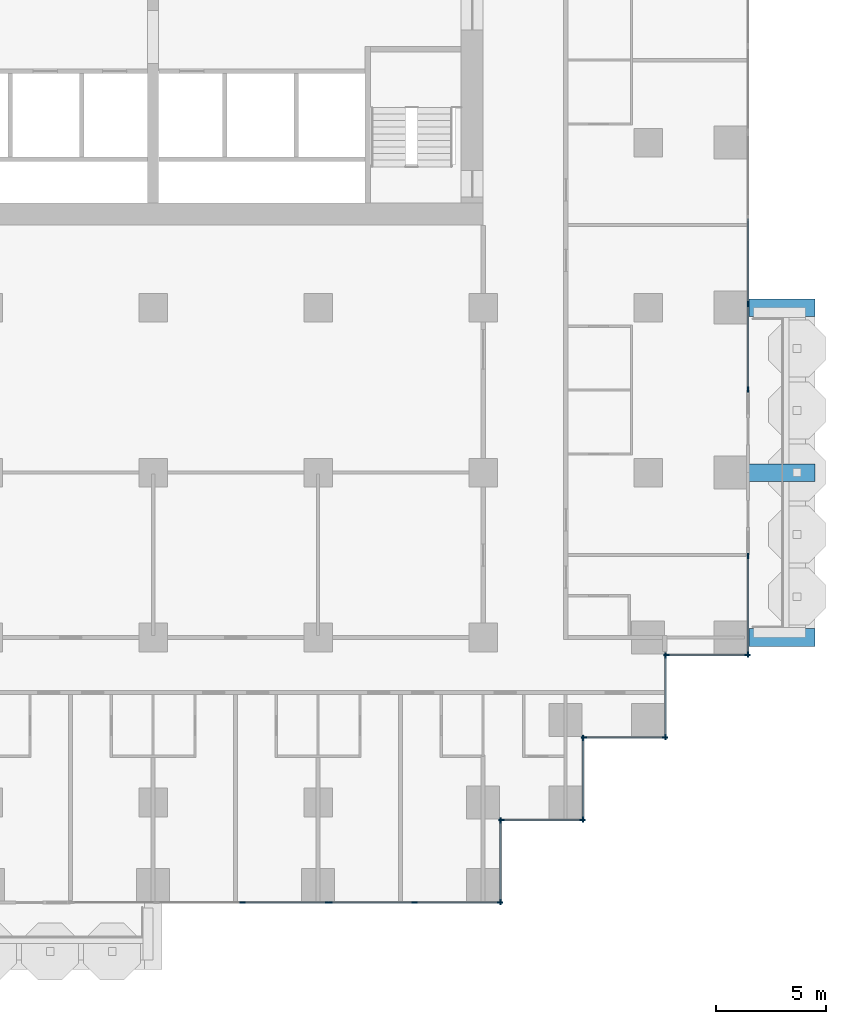
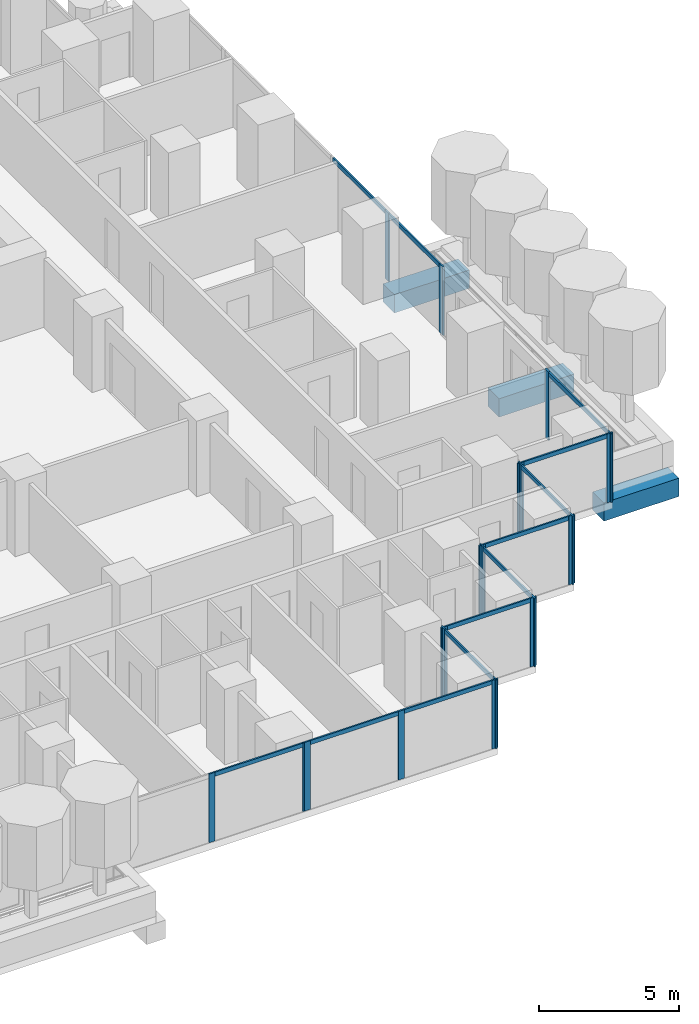
# One storey, part 4 of 19: 33 members, 3 beams, 10 elements without a shape of their own.
"""IFC4 building model written with IfcOpenShell, lengths in metres."""

import ifcopenshell
import ifcopenshell.guid

model = None  # the IFC model being written
_history = None  # IfcOwnerHistory: only IFC2X3 demands one
_inside = {}  # id of a spatial element -> (the spatial element, [elements in it])
_under = {}  # id of a project, library or spatial element -> (it, [spatial elements below it])
_declared = {}  # id of a project -> (the project, [libraries it declares])
_typed = {}  # id of a type object -> (the type object, [elements of that type])
_made_of = {}  # id of a material, layer set ... -> (it, [elements and type objects made of it])


def new_model(schema):
    """Start an empty IFC model of exactly this schema.

    Asked for "IFC4X3", IfcOpenShell would pick the latest addendum, in which some entities
    have other attributes; the version numbers below select the first issue.
    IFC2X3 requires an IfcOwnerHistory on every rooted entity: one is made here for all.
    """
    global model, _history
    if schema == "IFC4X3":
        model = ifcopenshell.file(schema_version=(4, 3, 0, 0))
    else:
        model = ifcopenshell.file(schema=schema)
    _inside.clear()
    _under.clear()
    _declared.clear()
    _typed.clear()
    _made_of.clear()
    _history = None
    if model.schema == "IFC2X3":
        org = make("IfcOrganization", Name="unknown")
        user = make(
            "IfcPersonAndOrganization",
            ThePerson=make("IfcPerson", FamilyName="unknown"),
            TheOrganization=org,
        )
        app = make(
            "IfcApplication",
            ApplicationDeveloper=org,
            Version="unknown",
            ApplicationFullName="unknown",
            ApplicationIdentifier="unknown",
        )
        _history = make(
            "IfcOwnerHistory",
            OwningUser=user,
            OwningApplication=app,
            ChangeAction="ADDED",
            CreationDate=0,
        )
    return model


def make(cls, **values):
    """One entity of the class cls with the attributes given. An attribute that is None is left unset."""
    return model.create_entity(
        cls, **{name: value for name, value in values.items() if value is not None}
    )


def rooted(cls, **values):
    """An entity with a GlobalId (a new one), such as an element, a storey or a relation."""
    return make(cls, GlobalId=ifcopenshell.guid.new(), OwnerHistory=_history, **values)


def si_unit(unit_type, name, prefix=None):
    """IfcSIUnit, for example si_unit("LENGTHUNIT", "METRE", prefix="MILLI")."""
    return make("IfcSIUnit", UnitType=unit_type, Prefix=prefix, Name=name)


def assignment(units):
    """IfcUnitAssignment: the units of a project."""
    return None if units is None else make("IfcUnitAssignment", Units=units)


def point(xyz):
    """IfcCartesianPoint."""
    return None if xyz is None else make("IfcCartesianPoint", Coordinates=xyz)


def direction(xyz):
    """IfcDirection."""
    return None if xyz is None else make("IfcDirection", DirectionRatios=xyz)


def frame(location, z_axis=None, x_axis=None):
    """IfcAxis2Placement3D, a coordinate frame: its origin and axes. An axis left out is left unset."""
    return make(
        "IfcAxis2Placement3D",
        Location=point(location),
        Axis=direction(z_axis),
        RefDirection=direction(x_axis),
    )


def frame_2d(location, x_axis=None):
    """IfcAxis2Placement2D, a coordinate frame in the plane: its origin and x axis."""
    return make(
        "IfcAxis2Placement2D", Location=point(location), RefDirection=direction(x_axis)
    )


def origin():
    """The frame at (0, 0, 0) with its axes left unset."""
    return frame((0.0, 0.0, 0.0))


def origin_2d():
    """The frame at (0, 0) in the plane with its x axis left unset."""
    return frame_2d((0.0, 0.0))


def place(relative_to, where):
    """IfcLocalPlacement: puts the frame where relative to a parent placement (None: the world)."""
    return make(
        "IfcLocalPlacement", PlacementRelTo=relative_to, RelativePlacement=where
    )


def context(
    kind, dimensions, precision=None, world=None, true_north=None, identifier=None
):
    """IfcGeometricRepresentationContext, for example the 3D "Model" context."""
    return make(
        "IfcGeometricRepresentationContext",
        ContextIdentifier=identifier,
        ContextType=kind,
        CoordinateSpaceDimension=dimensions,
        Precision=precision,
        WorldCoordinateSystem=world,
        TrueNorth=true_north,
    )


def subcontext(parent, identifier, kind, view, scale=None):
    """IfcGeometricRepresentationSubContext, for example "Body" below "Model"."""
    return make(
        "IfcGeometricRepresentationSubContext",
        ContextIdentifier=identifier,
        ContextType=kind,
        ParentContext=parent,
        TargetScale=scale,
        TargetView=view,
    )


def project(units=None, contexts=None):
    """IfcProject with its units and contexts."""
    return rooted(
        "IfcProject",
        Name="project",
        RepresentationContexts=contexts,
        UnitsInContext=assignment(units),
    )


def spatial(cls, under=None, at=None, **own):
    """A site, building, storey or space (cls), placed at a placement, below another one or the project."""
    s = rooted(cls, ObjectPlacement=at, **own)
    if under is not None:
        _under.setdefault(under.id(), (under, []))[1].append(s)
    return s


def profile(cls, at=None, kind="AREA", **sizes):
    """A parametric profile (cls). Its sizes go by their IFC names, for example OverallWidth=200.0."""
    return make(cls, ProfileType=kind, Position=at, **sizes)


def rectangle(**sizes):
    """IfcRectangleProfileDef."""
    return profile("IfcRectangleProfileDef", **sizes)


def extrude(swept, where, along, depth):
    """IfcExtrudedAreaSolid: the profile swept, set in the frame where, extruded along a direction by depth."""
    return make(
        "IfcExtrudedAreaSolid",
        SweptArea=swept,
        Position=where,
        ExtrudedDirection=direction(along),
        Depth=depth,
    )


def shape(context_of_items, identifier, shape_type, items):
    """IfcShapeRepresentation: the items that make up one representation, for example the "Body"."""
    return make(
        "IfcShapeRepresentation",
        ContextOfItems=context_of_items,
        RepresentationIdentifier=identifier,
        RepresentationType=shape_type,
        Items=items,
    )


def material(Name=None, Category=None):
    """IfcMaterial."""
    return make("IfcMaterial", Name=Name, Category=Category)


def material_profile(
    of_material, cross_section, Name=None, Category=None, Priority=None
):
    """IfcMaterialProfile: a cross section and its material."""
    return make(
        "IfcMaterialProfile",
        Name=Name,
        Material=of_material,
        Profile=cross_section,
        Priority=Priority,
        Category=Category,
    )


def profile_set(profiles, Name=None, composite=None):
    """IfcMaterialProfileSet."""
    return make(
        "IfcMaterialProfileSet",
        Name=Name,
        MaterialProfiles=profiles,
        CompositeProfile=composite,
    )


def made_of(thing, what):
    """Note that an element or type object is made of a material, layer set ...; save() writes the relation."""
    if what is not None:
        _made_of.setdefault(what.id(), (what, []))[1].append(thing)
    return thing


def type_object(cls, material=None, **own):
    """A type object (cls), such as IfcWallType, which elements share."""
    return made_of(rooted(cls, **own), material)


def element(
    cls,
    number,
    at=None,
    inside=None,
    cuts=None,
    type_object=None,
    material=None,
    context=None,
    identifier="Body",
    shape_type=None,
    held_by="IfcProductDefinitionShape",
    body=None,
    shapes=None,
    **own,
):
    """One element of the class cls, such as IfcWall. Its Tag is "e" and its number.

    at: its placement. inside: the storey or other place that contains it. cuts: it is an
    opening in that element (IfcRelVoidsElement). A single representation is given by context,
    identifier, shape_type and body (its items); several are given by shapes. held_by: the class
    of the entity that holds the representations. save() writes the other relations.
    """
    e = rooted(cls, Tag="e%d" % number, ObjectPlacement=at, **own)
    if body is not None:
        shapes = [shape(context, identifier, shape_type, body)]
    if shapes is not None:
        e.Representation = make(held_by, Representations=shapes)
    if inside is not None:
        _inside.setdefault(inside.id(), (inside, []))[1].append(e)
    if cuts is not None:
        rooted(
            "IfcRelVoidsElement", RelatingBuildingElement=cuts, RelatedOpeningElement=e
        )
    if type_object is not None:
        _typed.setdefault(type_object.id(), (type_object, []))[1].append(e)
    return made_of(e, material)


def aggregate(whole, parts):
    """IfcRelAggregates: a whole, such as a stair, and the parts it consists of."""
    return rooted("IfcRelAggregates", RelatingObject=whole, RelatedObjects=parts)


def save(model, path):
    """Write the relations noted so far, then the file.

    IfcRelAggregates (storeys below a building ...), IfcRelContainedInSpatialStructure (elements
    in a storey), IfcRelDefinesByType, IfcRelAssociatesMaterial and IfcRelDeclares: one each for
    every whole, place, type object, material and project.
    """
    for whole, parts in _under.values():
        aggregate(whole, parts)
    for where, things in _inside.values():
        rooted(
            "IfcRelContainedInSpatialStructure",
            RelatedElements=things,
            RelatingStructure=where,
        )
    for kind, things in _typed.values():
        rooted("IfcRelDefinesByType", RelatedObjects=things, RelatingType=kind)
    for what, things in _made_of.values():
        rooted("IfcRelAssociatesMaterial", RelatedObjects=things, RelatingMaterial=what)
    for by, libraries in _declared.values():
        rooted("IfcRelDeclares", RelatingContext=by, RelatedDefinitions=libraries)
    model.write(path)


model = new_model("IFC4")

# Units and contexts
model_context = context("Model", 3, precision=1e-05, world=origin(), true_north=direction((0.0, 1.0)))
body_context = subcontext(model_context, "Body", "Model", "MODEL_VIEW")
ifc_project = project(units=[si_unit("LENGTHUNIT", "METRE"), si_unit("AREAUNIT", "SQUARE_METRE"), si_unit("VOLUMEUNIT", "CUBIC_METRE"), si_unit("PLANEANGLEUNIT", "RADIAN"), si_unit("MASSUNIT", "GRAM", prefix="KILO")], contexts=[model_context])

# Site, building, storey
site_placement = place(None, origin())
site = spatial("IfcSite", under=ifc_project, at=site_placement, CompositionType="ELEMENT")
building_placement = place(site_placement, origin())
building = spatial("IfcBuilding", under=site, at=building_placement, Name="Pilkhan Gate Tower", CompositionType="ELEMENT")
storey_placement = place(building_placement, frame((0.0, 0.0, 89.0)))
storey = spatial("IfcBuildingStorey", under=building, at=storey_placement, Name="L21", CompositionType="ELEMENT", Elevation=89.0)

# Beams
ifc_material_1 = material(Name="Concrete C50/60", Category="concrete")
ifc_material_profile_1 = material_profile(ifc_material_1, rectangle(XDim=0.800048828125, YDim=0.800048828125, at=origin_2d()), Name="RC 800x800")
ifc_profile_set_1 = profile_set([ifc_material_profile_1], Name="Concrete C50/60")
beam_type = type_object("IfcBeamType", Name="Cantilever beam CB2 RC 800x800 C50/60", PredefinedType="BEAM", material=ifc_profile_set_1)
for number, where, z_axis, x_axis, name in (
    (1, (102.0, 52.5, -0.699951171875), (1.0, 0.0, 0.0), (0.0, 1.0, 0.0), "Balcony beam E.1 L21"),
    (2, (102.0, 60.0, -0.699951171875), (1.0, 0.0, 0.0), (0.0, 1.0, 0.0), "Balcony beam E.2 L21"),
    (3, (102.0, 67.5, -0.699951171875), (1.0, 0.0, 0.0), (0.0, 1.0, 0.0), "Balcony beam E.3 L21"),
):
    element("IfcBeam", number, at=place(storey_placement, frame(where, z_axis=z_axis, x_axis=x_axis)), inside=storey, type_object=beam_type, Name=name, PredefinedType="BEAM", context=body_context, shape_type="SweptSolid", body=[
        extrude(rectangle(XDim=0.800048828125, YDim=0.800048828125, at=origin_2d()), origin(), (0.0, 0.0, 1.0), 3.10009765625),
    ])

# Curtain wall, members
ifc_material_2 = material(Name="Pale anodised aluminium, clear low-iron double glazing", Category="aluminium")
curtain_wall_type = type_object("IfcCurtainWallType", Name="Hotel unitised curtain wall CW-H", PredefinedType="USERDEFINED", material=ifc_material_2)
curtain_wall_1_placement = place(storey_placement, origin())
curtain_wall_1 = element("IfcCurtainWall", 4, at=curtain_wall_1_placement, inside=storey, type_object=curtain_wall_type, Name="Hotel unitised curtain wall CW-H L21 E", ObjectType="UNITISED CURTAIN WALL", PredefinedType="USERDEFINED")
ifc_material_3 = material(Name="Pale anodised aluminium", Category="aluminium")
ifc_material_profile_2 = material_profile(ifc_material_3, rectangle(XDim=0.06494140625, YDim=0.25, at=origin_2d()), Name="Mullion 250x65")
ifc_profile_set_2 = profile_set([ifc_material_profile_2], Name="Pale anodised aluminium")
member_type_1 = type_object("IfcMemberType", Name="Mullion CW-H 250x65", PredefinedType="MULLION", material=ifc_profile_set_2)
member_1_placement = place(storey_placement, frame((102.044921875, 51.737548828125, 0.0), z_axis=(0.0, 0.0, 1.0), x_axis=(-1.0, 0.0, 0.0)))
member_1 = element("IfcMember", 5, at=member_1_placement, type_object=member_type_1, Name="CW-H mullion 1", PredefinedType="MULLION", context=body_context, shape_type="SweptSolid", body=[
    extrude(rectangle(XDim=0.06494140625, YDim=0.25, at=origin_2d()), origin(), (0.0, 0.0, 1.0), 3.0),
])
member_2_placement = place(storey_placement, frame((102.044921875, 56.217529296875, 0.0), z_axis=(0.0, 0.0, 1.0), x_axis=(-1.0, 0.0, 0.0)))
member_2 = element("IfcMember", 6, at=member_2_placement, type_object=member_type_1, Name="CW-H mullion 2", PredefinedType="MULLION", context=body_context, shape_type="SweptSolid", body=[
    extrude(rectangle(XDim=0.06494140625, YDim=0.25, at=origin_2d()), origin(), (0.0, 0.0, 1.0), 3.0),
])

curtain_wall_2_placement = place(storey_placement, origin())
curtain_wall_2 = element("IfcCurtainWall", 7, at=curtain_wall_2_placement, inside=storey, type_object=curtain_wall_type, Name="Hotel unitised curtain wall CW-H L21 E", ObjectType="UNITISED CURTAIN WALL", PredefinedType="USERDEFINED")
member_3_placement = place(storey_placement, frame((102.044921875, 63.782470703125, 0.0), z_axis=(0.0, 0.0, 1.0), x_axis=(-1.0, 0.0, 0.0)))
member_3 = element("IfcMember", 8, at=member_3_placement, type_object=member_type_1, Name="CW-H mullion 1", PredefinedType="MULLION", context=body_context, shape_type="SweptSolid", body=[
    extrude(rectangle(XDim=0.06494140625, YDim=0.25, at=origin_2d()), origin(), (0.0, 0.0, 1.0), 3.0),
])
member_4_placement = place(storey_placement, frame((102.044921875, 67.658935546875, 0.0), z_axis=(0.0, 0.0, 1.0), x_axis=(-1.0, 0.0, 0.0)))
member_4 = element("IfcMember", 9, at=member_4_placement, type_object=member_type_1, Name="CW-H mullion 2", PredefinedType="MULLION", context=body_context, shape_type="SweptSolid", body=[
    extrude(rectangle(XDim=0.06494140625, YDim=0.25, at=origin_2d()), origin(), (0.0, 0.0, 1.0), 3.0),
])

curtain_wall_3_placement = place(storey_placement, origin())
curtain_wall_3 = element("IfcCurtainWall", 10, at=curtain_wall_3_placement, inside=storey, type_object=curtain_wall_type, Name="Hotel unitised curtain wall CW-H L21 S", ObjectType="UNITISED CURTAIN WALL", PredefinedType="USERDEFINED")
member_5_placement = place(storey_placement, frame((79.068115234375, 40.455078125, 0.0), z_axis=(0.0, 0.0, 1.0), x_axis=(0.0, 1.0, 0.0)))
member_5 = element("IfcMember", 11, at=member_5_placement, type_object=member_type_1, Name="CW-H mullion 3", PredefinedType="MULLION", context=body_context, shape_type="SweptSolid", body=[
    extrude(rectangle(XDim=0.06494140625, YDim=0.25, at=origin_2d()), origin(), (0.0, 0.0, 1.0), 3.0),
])
member_6_placement = place(storey_placement, frame((82.944580078125, 40.455078125, 0.0), z_axis=(0.0, 0.0, 1.0), x_axis=(0.0, 1.0, 0.0)))
member_6 = element("IfcMember", 12, at=member_6_placement, type_object=member_type_1, Name="CW-H mullion 4", PredefinedType="MULLION", context=body_context, shape_type="SweptSolid", body=[
    extrude(rectangle(XDim=0.06494140625, YDim=0.25, at=origin_2d()), origin(), (0.0, 0.0, 1.0), 3.0),
])

curtain_wall_4_placement = place(storey_placement, origin())
curtain_wall_4 = element("IfcCurtainWall", 13, at=curtain_wall_4_placement, inside=storey, type_object=curtain_wall_type, Name="Hotel unitised curtain wall CW-H L21 S", ObjectType="UNITISED CURTAIN WALL", PredefinedType="USERDEFINED")
member_7_placement = place(storey_placement, frame((83.009521484375, 40.455078125, 0.0), z_axis=(0.0, 0.0, 1.0), x_axis=(0.0, 1.0, 0.0)))
member_7 = element("IfcMember", 14, at=member_7_placement, type_object=member_type_1, Name="CW-H mullion 1", PredefinedType="MULLION", context=body_context, shape_type="SweptSolid", body=[
    extrude(rectangle(XDim=0.06494140625, YDim=0.25, at=origin_2d()), origin(), (0.0, 0.0, 1.0), 3.0),
])
member_8_placement = place(storey_placement, frame((86.885986328125, 40.455078125, 0.0), z_axis=(0.0, 0.0, 1.0), x_axis=(0.0, 1.0, 0.0)))
member_8 = element("IfcMember", 15, at=member_8_placement, type_object=member_type_1, Name="CW-H mullion 2", PredefinedType="MULLION", context=body_context, shape_type="SweptSolid", body=[
    extrude(rectangle(XDim=0.06494140625, YDim=0.25, at=origin_2d()), origin(), (0.0, 0.0, 1.0), 3.0),
])
member_9_placement = place(storey_placement, frame((90.762451171875, 40.455078125, 0.0), z_axis=(0.0, 0.0, 1.0), x_axis=(0.0, 1.0, 0.0)))
member_9 = element("IfcMember", 16, at=member_9_placement, type_object=member_type_1, Name="CW-H mullion 3", PredefinedType="MULLION", context=body_context, shape_type="SweptSolid", body=[
    extrude(rectangle(XDim=0.06494140625, YDim=0.25, at=origin_2d()), origin(), (0.0, 0.0, 1.0), 3.0),
])

curtain_wall_5_placement = place(storey_placement, origin())
curtain_wall_5 = element("IfcCurtainWall", 17, at=curtain_wall_5_placement, inside=storey, type_object=curtain_wall_type, Name="Hotel unitised curtain wall CW-H L21 E", ObjectType="UNITISED CURTAIN WALL", PredefinedType="USERDEFINED")
member_10_placement = place(storey_placement, frame((90.794921875, 40.487548828125, 0.0), z_axis=(0.0, 0.0, 1.0), x_axis=(-1.0, 0.0, 0.0)))
member_10 = element("IfcMember", 18, at=member_10_placement, type_object=member_type_1, Name="CW-H mullion 1", PredefinedType="MULLION", context=body_context, shape_type="SweptSolid", body=[
    extrude(rectangle(XDim=0.06494140625, YDim=0.25, at=origin_2d()), origin(), (0.0, 0.0, 1.0), 3.0),
])
member_11_placement = place(storey_placement, frame((90.794921875, 44.172607421875, 0.0), z_axis=(0.0, 0.0, 1.0), x_axis=(-1.0, 0.0, 0.0)))
member_11 = element("IfcMember", 19, at=member_11_placement, type_object=member_type_1, Name="CW-H mullion 2", PredefinedType="MULLION", context=body_context, shape_type="SweptSolid", body=[
    extrude(rectangle(XDim=0.06494140625, YDim=0.25, at=origin_2d()), origin(), (0.0, 0.0, 1.0), 3.0),
])

curtain_wall_6_placement = place(storey_placement, origin())
curtain_wall_6 = element("IfcCurtainWall", 20, at=curtain_wall_6_placement, inside=storey, type_object=curtain_wall_type, Name="Hotel unitised curtain wall CW-H L21 S", ObjectType="UNITISED CURTAIN WALL", PredefinedType="USERDEFINED")
member_12_placement = place(storey_placement, frame((90.827392578125, 44.205078125, 0.0), z_axis=(0.0, 0.0, 1.0), x_axis=(0.0, 1.0, 0.0)))
member_12 = element("IfcMember", 21, at=member_12_placement, type_object=member_type_1, Name="CW-H mullion 1", PredefinedType="MULLION", context=body_context, shape_type="SweptSolid", body=[
    extrude(rectangle(XDim=0.06494140625, YDim=0.25, at=origin_2d()), origin(), (0.0, 0.0, 1.0), 3.0),
])
member_13_placement = place(storey_placement, frame((94.512451171875, 44.205078125, 0.0), z_axis=(0.0, 0.0, 1.0), x_axis=(0.0, 1.0, 0.0)))
member_13 = element("IfcMember", 22, at=member_13_placement, type_object=member_type_1, Name="CW-H mullion 2", PredefinedType="MULLION", context=body_context, shape_type="SweptSolid", body=[
    extrude(rectangle(XDim=0.06494140625, YDim=0.25, at=origin_2d()), origin(), (0.0, 0.0, 1.0), 3.0),
])

curtain_wall_7_placement = place(storey_placement, origin())
curtain_wall_7 = element("IfcCurtainWall", 23, at=curtain_wall_7_placement, inside=storey, type_object=curtain_wall_type, Name="Hotel unitised curtain wall CW-H L21 E", ObjectType="UNITISED CURTAIN WALL", PredefinedType="USERDEFINED")
member_14_placement = place(storey_placement, frame((94.544921875, 44.237548828125, 0.0), z_axis=(0.0, 0.0, 1.0), x_axis=(-1.0, 0.0, 0.0)))
member_14 = element("IfcMember", 24, at=member_14_placement, type_object=member_type_1, Name="CW-H mullion 1", PredefinedType="MULLION", context=body_context, shape_type="SweptSolid", body=[
    extrude(rectangle(XDim=0.06494140625, YDim=0.25, at=origin_2d()), origin(), (0.0, 0.0, 1.0), 3.0),
])
member_15_placement = place(storey_placement, frame((94.544921875, 47.922607421875, 0.0), z_axis=(0.0, 0.0, 1.0), x_axis=(-1.0, 0.0, 0.0)))
member_15 = element("IfcMember", 25, at=member_15_placement, type_object=member_type_1, Name="CW-H mullion 2", PredefinedType="MULLION", context=body_context, shape_type="SweptSolid", body=[
    extrude(rectangle(XDim=0.06494140625, YDim=0.25, at=origin_2d()), origin(), (0.0, 0.0, 1.0), 3.0),
])

curtain_wall_8_placement = place(storey_placement, origin())
curtain_wall_8 = element("IfcCurtainWall", 26, at=curtain_wall_8_placement, inside=storey, type_object=curtain_wall_type, Name="Hotel unitised curtain wall CW-H L21 S", ObjectType="UNITISED CURTAIN WALL", PredefinedType="USERDEFINED")
member_16_placement = place(storey_placement, frame((94.577392578125, 47.955078125, 0.0), z_axis=(0.0, 0.0, 1.0), x_axis=(0.0, 1.0, 0.0)))
member_16 = element("IfcMember", 27, at=member_16_placement, type_object=member_type_1, Name="CW-H mullion 1", PredefinedType="MULLION", context=body_context, shape_type="SweptSolid", body=[
    extrude(rectangle(XDim=0.06494140625, YDim=0.25, at=origin_2d()), origin(), (0.0, 0.0, 1.0), 3.0),
])
member_17_placement = place(storey_placement, frame((98.262451171875, 47.955078125, 0.0), z_axis=(0.0, 0.0, 1.0), x_axis=(0.0, 1.0, 0.0)))
member_17 = element("IfcMember", 28, at=member_17_placement, type_object=member_type_1, Name="CW-H mullion 2", PredefinedType="MULLION", context=body_context, shape_type="SweptSolid", body=[
    extrude(rectangle(XDim=0.06494140625, YDim=0.25, at=origin_2d()), origin(), (0.0, 0.0, 1.0), 3.0),
])

curtain_wall_9_placement = place(storey_placement, origin())
curtain_wall_9 = element("IfcCurtainWall", 29, at=curtain_wall_9_placement, inside=storey, type_object=curtain_wall_type, Name="Hotel unitised curtain wall CW-H L21 E", ObjectType="UNITISED CURTAIN WALL", PredefinedType="USERDEFINED")
member_18_placement = place(storey_placement, frame((98.294921875, 47.987548828125, 0.0), z_axis=(0.0, 0.0, 1.0), x_axis=(-1.0, 0.0, 0.0)))
member_18 = element("IfcMember", 30, at=member_18_placement, type_object=member_type_1, Name="CW-H mullion 1", PredefinedType="MULLION", context=body_context, shape_type="SweptSolid", body=[
    extrude(rectangle(XDim=0.06494140625, YDim=0.25, at=origin_2d()), origin(), (0.0, 0.0, 1.0), 3.0),
])
member_19_placement = place(storey_placement, frame((98.294921875, 51.672607421875, 0.0), z_axis=(0.0, 0.0, 1.0), x_axis=(-1.0, 0.0, 0.0)))
member_19 = element("IfcMember", 31, at=member_19_placement, type_object=member_type_1, Name="CW-H mullion 2", PredefinedType="MULLION", context=body_context, shape_type="SweptSolid", body=[
    extrude(rectangle(XDim=0.06494140625, YDim=0.25, at=origin_2d()), origin(), (0.0, 0.0, 1.0), 3.0),
])

curtain_wall_10_placement = place(storey_placement, origin())
curtain_wall_10 = element("IfcCurtainWall", 32, at=curtain_wall_10_placement, inside=storey, type_object=curtain_wall_type, Name="Hotel unitised curtain wall CW-H L21 S", ObjectType="UNITISED CURTAIN WALL", PredefinedType="USERDEFINED")
member_20_placement = place(storey_placement, frame((98.327392578125, 51.705078125, 0.0), z_axis=(0.0, 0.0, 1.0), x_axis=(0.0, 1.0, 0.0)))
member_20 = element("IfcMember", 33, at=member_20_placement, type_object=member_type_1, Name="CW-H mullion 1", PredefinedType="MULLION", context=body_context, shape_type="SweptSolid", body=[
    extrude(rectangle(XDim=0.06494140625, YDim=0.25, at=origin_2d()), origin(), (0.0, 0.0, 1.0), 3.0),
])
member_21_placement = place(storey_placement, frame((102.012451171875, 51.705078125, 0.0), z_axis=(0.0, 0.0, 1.0), x_axis=(0.0, 1.0, 0.0)))
member_21 = element("IfcMember", 34, at=member_21_placement, type_object=member_type_1, Name="CW-H mullion 2", PredefinedType="MULLION", context=body_context, shape_type="SweptSolid", body=[
    extrude(rectangle(XDim=0.06494140625, YDim=0.25, at=origin_2d()), origin(), (0.0, 0.0, 1.0), 3.0),
])

# Member
ifc_material_profile_3 = material_profile(ifc_material_3, rectangle(XDim=0.06494140625, YDim=0.179931640625, at=origin_2d()), Name="Transom 180x65")
ifc_profile_set_3 = profile_set([ifc_material_profile_3], Name="Pale anodised aluminium")
member_type_2 = type_object("IfcMemberType", Name="Transom CW-H 180x65", PredefinedType="USERDEFINED", material=ifc_profile_set_3)
member_22_placement = place(storey_placement, frame((102.044921875, 51.77001953125, 2.909912109375), z_axis=(0.0, 1.0, 0.0), x_axis=(-1.0, 0.0, 0.0)))
member_22 = element("IfcMember", 35, at=member_22_placement, type_object=member_type_2, Name="CW-H transom 1", ObjectType="TRANSOM", PredefinedType="USERDEFINED", context=body_context, shape_type="SweptSolid", body=[
    extrude(rectangle(XDim=0.06494140625, YDim=0.179931640625, at=origin_2d()), origin(), (0.0, 0.0, 1.0), 4.4150390625),
])

aggregate(curtain_wall_1, [member_1, member_2, member_22])

member_23_placement = place(storey_placement, frame((102.044921875, 63.81494140625, 2.909912109375), z_axis=(0.0, 1.0, 0.0), x_axis=(-1.0, 0.0, 0.0)))
member_23 = element("IfcMember", 36, at=member_23_placement, type_object=member_type_2, Name="CW-H transom 1", ObjectType="TRANSOM", PredefinedType="USERDEFINED", context=body_context, shape_type="SweptSolid", body=[
    extrude(rectangle(XDim=0.06494140625, YDim=0.179931640625, at=origin_2d()), origin(), (0.0, 0.0, 1.0), 3.8115234375),
])

member_24_placement = place(storey_placement, frame((102.044921875, 67.69140625, 2.909912109375), z_axis=(0.0, 1.0, 0.0), x_axis=(-1.0, 0.0, 0.0)))
member_24 = element("IfcMember", 37, at=member_24_placement, type_object=member_type_2, Name="CW-H transom 2", ObjectType="TRANSOM", PredefinedType="USERDEFINED", context=body_context, shape_type="SweptSolid", body=[
    extrude(rectangle(XDim=0.06494140625, YDim=0.179931640625, at=origin_2d()), origin(), (0.0, 0.0, 1.0), 3.843994140625),
])

aggregate(curtain_wall_2, [member_3, member_4, member_23, member_24])

member_25_placement = place(storey_placement, frame((79.1005859375, 40.455078125, 2.909912109375), z_axis=(1.0, 0.0, 0.0), x_axis=(0.0, 1.0, 0.0)))
member_25 = element("IfcMember", 38, at=member_25_placement, type_object=member_type_2, Name="CW-H transom 3", ObjectType="TRANSOM", PredefinedType="USERDEFINED", context=body_context, shape_type="SweptSolid", body=[
    extrude(rectangle(XDim=0.06494140625, YDim=0.179931640625, at=origin_2d()), origin(), (0.0, 0.0, 1.0), 3.8115234375),
])

aggregate(curtain_wall_3, [member_5, member_6, member_25])

member_26_placement = place(storey_placement, frame((83.0419921875, 40.455078125, 2.909912109375), z_axis=(1.0, 0.0, 0.0), x_axis=(0.0, 1.0, 0.0)))
member_26 = element("IfcMember", 39, at=member_26_placement, type_object=member_type_2, Name="CW-H transom 1", ObjectType="TRANSOM", PredefinedType="USERDEFINED", context=body_context, shape_type="SweptSolid", body=[
    extrude(rectangle(XDim=0.06494140625, YDim=0.179931640625, at=origin_2d()), origin(), (0.0, 0.0, 1.0), 3.8115234375),
])

member_27_placement = place(storey_placement, frame((86.91845703125, 40.455078125, 2.909912109375), z_axis=(1.0, 0.0, 0.0), x_axis=(0.0, 1.0, 0.0)))
member_27 = element("IfcMember", 40, at=member_27_placement, type_object=member_type_2, Name="CW-H transom 2", ObjectType="TRANSOM", PredefinedType="USERDEFINED", context=body_context, shape_type="SweptSolid", body=[
    extrude(rectangle(XDim=0.06494140625, YDim=0.179931640625, at=origin_2d()), origin(), (0.0, 0.0, 1.0), 3.8115234375),
])

aggregate(curtain_wall_4, [member_7, member_8, member_9, member_26, member_27])

member_28_placement = place(storey_placement, frame((90.794921875, 40.52001953125, 2.909912109375), z_axis=(0.0, 1.0, 0.0), x_axis=(-1.0, 0.0, 0.0)))
member_28 = element("IfcMember", 41, at=member_28_placement, type_object=member_type_2, Name="CW-H transom 1", ObjectType="TRANSOM", PredefinedType="USERDEFINED", context=body_context, shape_type="SweptSolid", body=[
    extrude(rectangle(XDim=0.06494140625, YDim=0.179931640625, at=origin_2d()), origin(), (0.0, 0.0, 1.0), 3.619873046875),
])

aggregate(curtain_wall_5, [member_10, member_11, member_28])

member_29_placement = place(storey_placement, frame((90.860107421875, 44.205078125, 2.909912109375), z_axis=(1.0, 0.0, 0.0), x_axis=(0.0, 1.0, 0.0)))
member_29 = element("IfcMember", 42, at=member_29_placement, type_object=member_type_2, Name="CW-H transom 1", ObjectType="TRANSOM", PredefinedType="USERDEFINED", context=body_context, shape_type="SweptSolid", body=[
    extrude(rectangle(XDim=0.06494140625, YDim=0.179931640625, at=origin_2d()), origin(), (0.0, 0.0, 1.0), 3.619873046875),
])

aggregate(curtain_wall_6, [member_12, member_13, member_29])

member_30_placement = place(storey_placement, frame((94.544921875, 44.27001953125, 2.909912109375), z_axis=(0.0, 1.0, 0.0), x_axis=(-1.0, 0.0, 0.0)))
member_30 = element("IfcMember", 43, at=member_30_placement, type_object=member_type_2, Name="CW-H transom 1", ObjectType="TRANSOM", PredefinedType="USERDEFINED", context=body_context, shape_type="SweptSolid", body=[
    extrude(rectangle(XDim=0.06494140625, YDim=0.179931640625, at=origin_2d()), origin(), (0.0, 0.0, 1.0), 3.619873046875),
])

aggregate(curtain_wall_7, [member_14, member_15, member_30])

member_31_placement = place(storey_placement, frame((94.610107421875, 47.955078125, 2.909912109375), z_axis=(1.0, 0.0, 0.0), x_axis=(0.0, 1.0, 0.0)))
member_31 = element("IfcMember", 44, at=member_31_placement, type_object=member_type_2, Name="CW-H transom 1", ObjectType="TRANSOM", PredefinedType="USERDEFINED", context=body_context, shape_type="SweptSolid", body=[
    extrude(rectangle(XDim=0.06494140625, YDim=0.179931640625, at=origin_2d()), origin(), (0.0, 0.0, 1.0), 3.619873046875),
])

aggregate(curtain_wall_8, [member_16, member_17, member_31])

member_32_placement = place(storey_placement, frame((98.294921875, 48.02001953125, 2.909912109375), z_axis=(0.0, 1.0, 0.0), x_axis=(-1.0, 0.0, 0.0)))
member_32 = element("IfcMember", 45, at=member_32_placement, type_object=member_type_2, Name="CW-H transom 1", ObjectType="TRANSOM", PredefinedType="USERDEFINED", context=body_context, shape_type="SweptSolid", body=[
    extrude(rectangle(XDim=0.06494140625, YDim=0.179931640625, at=origin_2d()), origin(), (0.0, 0.0, 1.0), 3.619873046875),
])

aggregate(curtain_wall_9, [member_18, member_19, member_32])

member_33_placement = place(storey_placement, frame((98.360107421875, 51.705078125, 2.909912109375), z_axis=(1.0, 0.0, 0.0), x_axis=(0.0, 1.0, 0.0)))
member_33 = element("IfcMember", 46, at=member_33_placement, type_object=member_type_2, Name="CW-H transom 1", ObjectType="TRANSOM", PredefinedType="USERDEFINED", context=body_context, shape_type="SweptSolid", body=[
    extrude(rectangle(XDim=0.06494140625, YDim=0.179931640625, at=origin_2d()), origin(), (0.0, 0.0, 1.0), 3.619873046875),
])

aggregate(curtain_wall_10, [member_20, member_21, member_33])

save(model, "model.ifc")
